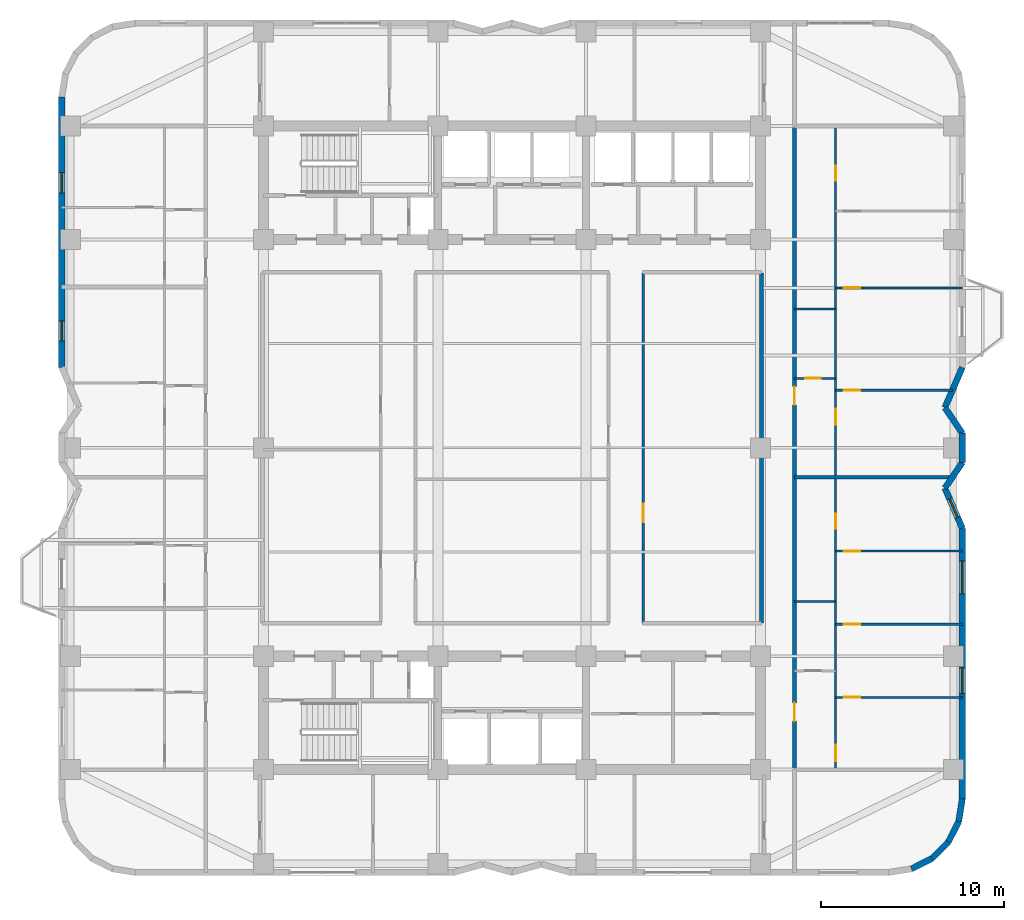
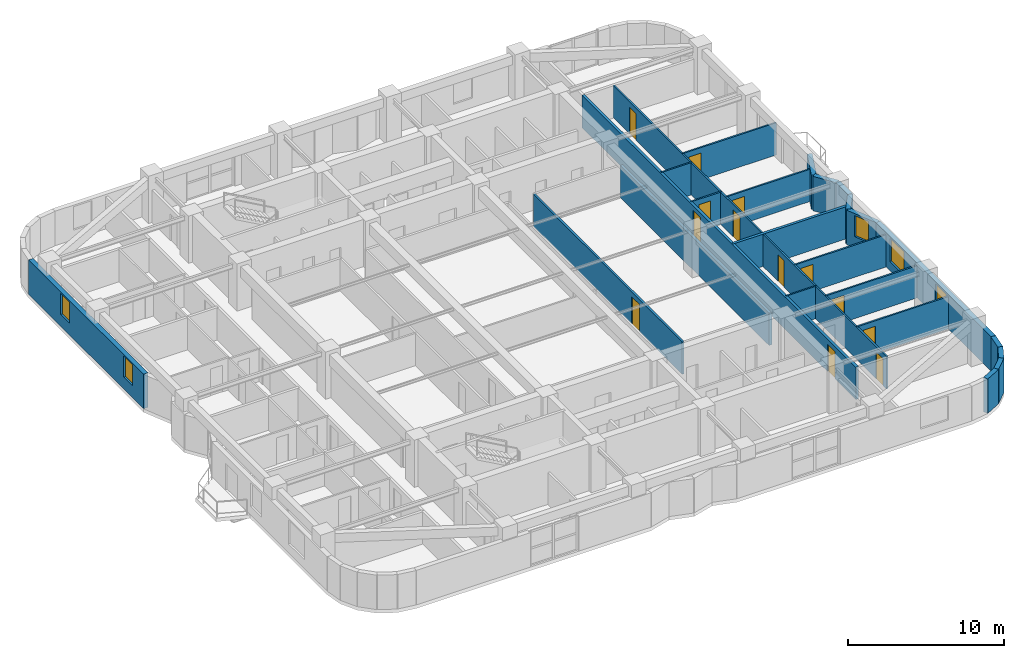
# One storey, part 10 of 15: 25 walls, 13 doors, 5 windows, 18 openings.
"""IFC4 building model written with IfcOpenShell, lengths in metres."""

from ifc_helpers import new_model, si_unit, direction, frame, frame_2d, origin, place, context, subcontext, project, spatial, rectangle, extrude, material, layer, layer_set, type_object, element, fill, save


model = new_model("IFC4")

# Units and contexts
model_context = context("Model", 3, precision=1e-05, world=origin(), true_north=direction((0.0, 1.0)))
body_context = subcontext(model_context, "Body", "Model", "MODEL_VIEW")
ifc_project = project(units=[si_unit("LENGTHUNIT", "METRE"), si_unit("AREAUNIT", "SQUARE_METRE"), si_unit("VOLUMEUNIT", "CUBIC_METRE"), si_unit("PLANEANGLEUNIT", "RADIAN"), si_unit("MASSUNIT", "GRAM", prefix="KILO")], contexts=[model_context])

# Site, building, storey
site_placement = place(None, origin())
site = spatial("IfcSite", under=ifc_project, at=site_placement, CompositionType="ELEMENT")
building_placement = place(site_placement, origin())
building = spatial("IfcBuilding", under=site, at=building_placement, Name="Svetorya Sky Lyceum", CompositionType="ELEMENT")
storey_placement = place(building_placement, frame((0.0, 0.0, 99.39990234375)))
storey = spatial("IfcBuildingStorey", under=building, at=storey_placement, Name="L24", CompositionType="ELEMENT", Elevation=99.39990234375)

# Walls
ifc_material_1 = material(Name="Putilovo limestone rainscreen on autoclaved cellular masonry", Category="masonry")
ifc_layer_1 = layer(ifc_material_1, 0.340087890625)
ifc_layer_set_1 = layer_set([ifc_layer_1], Name="Putilovo limestone rainscreen on autoclaved cellular masonry")
wall_type_1 = type_object("IfcWallType", Name="WL-EXT-340", PredefinedType="SOLIDWALL", material=ifc_layer_set_1)
for number, where, z_axis, x_axis, name in (
    (1, (61.04541015625, 5.167236328125, 0.0), (0.0, 0.0, 1.0), (0.890953769915, 0.454094020963, 0.0), "L24 Limestone Exterior Wall 13M"),
    (2, (62.168701171875, 5.73974609375, 0.0), (0.0, 0.0, 1.0), (0.707203598708, 0.707009950407, 0.0), "L24 Limestone Exterior Wall 14M"),
):
    element("IfcWall", number, at=place(storey_placement, frame(where, z_axis=z_axis, x_axis=x_axis)), inside=storey, type_object=wall_type_1, Name=name, PredefinedType="SOLIDWALL", context=body_context, shape_type="SweptSolid", body=[
        extrude(rectangle(XDim=1.2607421875, YDim=0.340087890625, at=frame_2d((0.63037109375, 0.0))), origin(), (0.0, 0.0, 1.0), 2.7001953125),
    ])
for number, where, z_axis, x_axis, name in (
    (3, (63.060302734375, 6.631103515625, 0.0), (0.0, 0.0, 1.0), (0.454015689056, 0.890993689142, 0.0), "L24 Limestone Exterior Wall 15M"),
    (4, (63.6328125, 7.754638671875, 0.0), (0.0, 0.0, 1.0), (0.15644975923, 0.987685918112, 0.0), "L24 Limestone Exterior Wall 16M"),
):
    element("IfcWall", number, at=place(storey_placement, frame(where, z_axis=z_axis, x_axis=x_axis)), inside=storey, type_object=wall_type_1, Name=name, PredefinedType="SOLIDWALL", context=body_context, shape_type="SweptSolid", body=[
        extrude(rectangle(XDim=1.260986328125, YDim=0.340087890625, at=frame_2d((0.63037109375, 0.0))), origin(), (0.0, 0.0, 1.0), 2.7001953125),
    ])

# Wall, openings, windows
wall_1_placement = place(storey_placement, frame((63.830078125, 9.0, 0.0), z_axis=(0.0, 0.0, 1.0), x_axis=(0.0, 1.0, 0.0)))
wall_1 = element("IfcWall", 5, at=wall_1_placement, inside=storey, type_object=wall_type_1, Name="L24 Limestone Exterior Wall 17M", PredefinedType="SOLIDWALL", context=body_context, shape_type="SweptSolid", body=[
    extrude(rectangle(XDim=14.800048828125, YDim=0.340087890625, at=frame_2d((7.39990234375, 0.0))), origin(), (0.0, 0.0, 1.0), 2.7001953125),
])
opening_1_placement = place(wall_1_placement, frame((5.760009765625, 0.0, 0.68994140625)))
opening_1 = element("IfcOpeningElement", 6, at=opening_1_placement, cuts=wall_1, Name="Opening W-R2", PredefinedType="OPENING", context=body_context, shape_type="SweptSolid", body=[
    extrude(rectangle(XDim=1.39990234375, YDim=1.85009765625, at=frame_2d((0.699951171875, 0.925048828125))), frame((0.0, 0.179931640625, 0.0), z_axis=(0.0, -1.0, 0.0), x_axis=(1.0, 0.0, 0.0)), (0.0, 0.0, 1.0), 0.360107421875),
])
opening_2_placement = place(wall_1_placement, frame((11.21240234375, 0.0, 0.72998046875)))
opening_2 = element("IfcOpeningElement", 7, at=opening_2_placement, cuts=wall_1, Name="Opening W-R1", PredefinedType="OPENING", context=body_context, shape_type="SweptSolid", body=[
    extrude(rectangle(XDim=1.800048828125, YDim=1.85009765625, at=frame_2d((0.89990234375, 0.925048828125))), frame((0.0, 0.179931640625, 0.0), z_axis=(0.0, -1.0, 0.0), x_axis=(1.0, 0.0, 0.0)), (0.0, 0.0, 1.0), 0.360107421875),
])
ifc_material_2 = material(Name="Thermally broken aluminium frame with triple low-E glazing", Category="aluminium")
window_type_1 = type_object("IfcWindowType", Name="WN-RES-140", PartitioningType="SINGLE_PANEL", PredefinedType="WINDOW", material=ifc_material_2)
window_1_placement = place(opening_1_placement, origin())
window_1 = element("IfcWindow", 8, at=window_1_placement, inside=storey, type_object=window_type_1, Name="L24 Facade Window W-R2.17M.2", OverallHeight=1.85009765625, OverallWidth=1.39990234375, PartitioningType="SINGLE_PANEL", PredefinedType="WINDOW", context=body_context, shape_type="SweptSolid", body=[
    extrude(rectangle(XDim=1.39990234375, YDim=1.85009765625, at=frame_2d((0.699951171875, 0.925048828125))), frame((0.0, 0.030029296875, 0.0), z_axis=(0.0, -1.0, 0.0), x_axis=(1.0, 0.0, 0.0)), (0.0, 0.0, 1.0), 0.06005859375),
])
fill(opening_1, window_1)
window_type_2 = type_object("IfcWindowType", Name="WN-RES-180", PartitioningType="DOUBLE_PANEL_VERTICAL", PredefinedType="WINDOW", material=ifc_material_2)
window_2_placement = place(opening_2_placement, origin())
window_2 = element("IfcWindow", 9, at=window_2_placement, inside=storey, type_object=window_type_2, Name="L24 Facade Window W-R1.17M.1", OverallHeight=1.85009765625, OverallWidth=1.800048828125, PartitioningType="SINGLE_PANEL", PredefinedType="WINDOW", context=body_context, shape_type="SweptSolid", body=[
    extrude(rectangle(XDim=1.800048828125, YDim=1.85009765625, at=frame_2d((0.89990234375, 0.925048828125))), frame((0.0, 0.030029296875, 0.0), z_axis=(0.0, -1.0, 0.0), x_axis=(1.0, 0.0, 0.0)), (0.0, 0.0, 1.0), 0.06005859375),
])
fill(opening_2, window_2)

# Wall, opening, window
wall_2_placement = place(storey_placement, frame((63.830078125, 23.800048828125, 0.0), z_axis=(0.0, 0.0, 1.0), x_axis=(-0.396512124623, 0.918029484835, 0.0)))
wall_2 = element("IfcWall", 10, at=wall_2_placement, inside=storey, type_object=wall_type_1, Name="L24 Limestone Exterior Wall 18M", PredefinedType="SOLIDWALL", context=body_context, shape_type="SweptSolid", body=[
    extrude(rectangle(XDim=2.396484375, YDim=0.340087890625, at=frame_2d((1.1982421875, 0.0))), origin(), (0.0, 0.0, 1.0), 2.7001953125),
])
opening_3_placement = place(wall_2_placement, frame((0.648193359375, 0.0, 0.889892578125)))
opening_3 = element("IfcOpeningElement", 11, at=opening_3_placement, cuts=wall_2, Name="Opening W-R3", PredefinedType="OPENING", context=body_context, shape_type="SweptSolid", body=[
    extrude(rectangle(XDim=1.10009765625, YDim=1.64990234375, at=frame_2d((0.550048828125, 0.824951171875))), frame((0.0, 0.179931640625, 0.0), z_axis=(0.0, -1.0, 0.0), x_axis=(1.0, 0.0, 0.0)), (0.0, 0.0, 1.0), 0.360107421875),
])
window_type_3 = type_object("IfcWindowType", Name="WN-RES-110", PartitioningType="SINGLE_PANEL", PredefinedType="WINDOW", material=ifc_material_2)
window_3_placement = place(opening_3_placement, origin())
window_3 = element("IfcWindow", 12, at=window_3_placement, inside=storey, type_object=window_type_3, Name="L24 Facade Window W-R3.18M.1", OverallHeight=1.64990234375, OverallWidth=1.10009765625, PartitioningType="SINGLE_PANEL", PredefinedType="WINDOW", context=body_context, shape_type="SweptSolid", body=[
    extrude(rectangle(XDim=1.10009765625, YDim=1.64990234375, at=frame_2d((0.550048828125, 0.824951171875))), frame((0.0, 0.030029296875, 0.0), z_axis=(0.0, -1.0, 0.0), x_axis=(1.0, 0.0, 0.0)), (0.0, 0.0, 1.0), 0.06005859375),
])
fill(opening_3, window_3)

# Walls
wall_3_placement = place(storey_placement, frame((62.8798828125, 26.0, 0.0), z_axis=(0.0, 0.0, 1.0), x_axis=(0.561607274182, 0.827403933751, 0.0)))
element("IfcWall", 13, at=wall_3_placement, inside=storey, type_object=wall_type_1, Name="L24 Limestone Exterior Wall 19M", PredefinedType="SOLIDWALL", context=body_context, shape_type="SweptSolid", body=[
    extrude(rectangle(XDim=1.69189453125, YDim=0.340087890625, at=frame_2d((0.845947265625, 0.0))), origin(), (0.0, 0.0, 1.0), 2.7001953125),
])
wall_4_placement = place(storey_placement, frame((63.830078125, 27.39990234375, 0.0), z_axis=(0.0, 0.0, 1.0), x_axis=(0.0, 1.0, 0.0)))
element("IfcWall", 14, at=wall_4_placement, inside=storey, type_object=wall_type_1, Name="L24 Limestone Exterior Wall 20M", PredefinedType="SOLIDWALL", context=body_context, shape_type="SweptSolid", body=[
    extrude(rectangle(XDim=1.60009765625, YDim=0.340087890625, at=frame_2d((0.800048828125, 0.0))), origin(), (0.0, 0.0, 1.0), 2.7001953125),
])
wall_5_placement = place(storey_placement, frame((63.830078125, 29.0, 0.0), z_axis=(0.0, 0.0, 1.0), x_axis=(-0.561607274182, 0.827403933751, 0.0)))
element("IfcWall", 15, at=wall_5_placement, inside=storey, type_object=wall_type_1, Name="L24 Limestone Exterior Wall 21M", PredefinedType="SOLIDWALL", context=body_context, shape_type="SweptSolid", body=[
    extrude(rectangle(XDim=1.69189453125, YDim=0.340087890625, at=frame_2d((0.845947265625, 0.0))), origin(), (0.0, 0.0, 1.0), 2.7001953125),
])
wall_6_placement = place(storey_placement, frame((62.8798828125, 30.39990234375, 0.0), z_axis=(0.0, 0.0, 1.0), x_axis=(0.396475042899, 0.918045500157, 0.0)))
element("IfcWall", 16, at=wall_6_placement, inside=storey, type_object=wall_type_1, Name="L24 Limestone Exterior Wall 22M", PredefinedType="SOLIDWALL", context=body_context, shape_type="SweptSolid", body=[
    extrude(rectangle(XDim=2.396728515625, YDim=0.340087890625, at=frame_2d((1.1982421875, 0.0))), origin(), (0.0, 0.0, 1.0), 2.7001953125),
])

# Wall, openings, windows
wall_7_placement = place(storey_placement, frame((14.570068359375, 47.39990234375, 0.0), z_axis=(0.0, 0.0, 1.0), x_axis=(0.0, -1.0, 0.0)))
wall_7 = element("IfcWall", 17, at=wall_7_placement, inside=storey, type_object=wall_type_1, Name="L24 Limestone Exterior Wall 40M", PredefinedType="SOLIDWALL", context=body_context, shape_type="SweptSolid", body=[
    extrude(rectangle(XDim=14.7998046875, YDim=0.340087890625, at=frame_2d((7.39990234375, 0.0))), origin(), (0.0, 0.0, 1.0), 2.7001953125),
])
opening_4_placement = place(wall_7_placement, frame((4.14990234375, 0.0, 0.929931640625)))
opening_4 = element("IfcOpeningElement", 18, at=opening_4_placement, cuts=wall_7, Name="Opening W-R3", PredefinedType="OPENING", context=body_context, shape_type="SweptSolid", body=[
    extrude(rectangle(XDim=1.10009765625, YDim=1.64990234375, at=frame_2d((0.550048828125, 0.824951171875))), frame((0.0, 0.179931640625, 0.0), z_axis=(0.0, -1.0, 0.0), x_axis=(1.0, 0.0, 0.0)), (0.0, 0.0, 1.0), 0.360107421875),
])
opening_5_placement = place(wall_7_placement, frame((12.25, 0.0, 0.929931640625)))
opening_5 = element("IfcOpeningElement", 19, at=opening_5_placement, cuts=wall_7, Name="Opening W-R3", PredefinedType="OPENING", context=body_context, shape_type="SweptSolid", body=[
    extrude(rectangle(XDim=1.10009765625, YDim=1.64990234375, at=frame_2d((0.550048828125, 0.824951171875))), frame((0.0, 0.179931640625, 0.0), z_axis=(0.0, -1.0, 0.0), x_axis=(1.0, 0.0, 0.0)), (0.0, 0.0, 1.0), 0.360107421875),
])
window_4_placement = place(opening_4_placement, origin())
window_4 = element("IfcWindow", 20, at=window_4_placement, inside=storey, type_object=window_type_3, Name="L24 Facade Window W-R3.40M.1", OverallHeight=1.64990234375, OverallWidth=1.10009765625, PartitioningType="SINGLE_PANEL", PredefinedType="WINDOW", context=body_context, shape_type="SweptSolid", body=[
    extrude(rectangle(XDim=1.10009765625, YDim=1.64990234375, at=frame_2d((0.550048828125, 0.824951171875))), frame((0.0, 0.030029296875, 0.0), z_axis=(0.0, -1.0, 0.0), x_axis=(1.0, 0.0, 0.0)), (0.0, 0.0, 1.0), 0.06005859375),
])
fill(opening_4, window_4)
window_5_placement = place(opening_5_placement, origin())
window_5 = element("IfcWindow", 21, at=window_5_placement, inside=storey, type_object=window_type_3, Name="L24 Facade Window W-R3.40M.2", OverallHeight=1.64990234375, OverallWidth=1.10009765625, PartitioningType="SINGLE_PANEL", PredefinedType="WINDOW", context=body_context, shape_type="SweptSolid", body=[
    extrude(rectangle(XDim=1.10009765625, YDim=1.64990234375, at=frame_2d((0.550048828125, 0.824951171875))), frame((0.0, 0.030029296875, 0.0), z_axis=(0.0, -1.0, 0.0), x_axis=(1.0, 0.0, 0.0)), (0.0, 0.0, 1.0), 0.06005859375),
])
fill(opening_5, window_5)

# Wall
ifc_material_3 = material(Name="Twin-stud galvanized framing with double fireboard", Category="gypsum")
ifc_layer_2 = layer(ifc_material_3, 0.1201171875)
ifc_layer_set_2 = layer_set([ifc_layer_2], Name="Twin-stud galvanized framing with double fireboard")
wall_type_2 = type_object("IfcWallType", Name="WL-PART-120", PredefinedType="PARTITIONING", material=ifc_layer_set_2)
wall_8_placement = place(storey_placement, frame((54.64990234375, 19.800048828125, 0.0), z_axis=(0.0, 0.0, 1.0), x_axis=(1.0, 0.0, 0.0)))
element("IfcWall", 22, at=wall_8_placement, inside=storey, type_object=wall_type_2, Name="L24 Interior Partition E1-WH2", PredefinedType="PARTITIONING", context=body_context, shape_type="SweptSolid", body=[
    extrude(rectangle(XDim=2.25, YDim=0.1201171875, at=frame_2d((1.125, 0.0))), origin(), (0.0, 0.0, 1.0), 2.530029296875),
])

# Wall, opening, door
wall_9_placement = place(storey_placement, frame((56.89990234375, 14.550048828125, 0.0), z_axis=(0.0, 0.0, 1.0), x_axis=(1.0, 0.0, 0.0)))
wall_9 = element("IfcWall", 23, at=wall_9_placement, inside=storey, type_object=wall_type_2, Name="L24 Interior Partition E1-WL1", PredefinedType="PARTITIONING", context=body_context, shape_type="SweptSolid", body=[
    extrude(rectangle(XDim=6.93017578125, YDim=0.1201171875, at=frame_2d((3.465087890625, 0.0))), origin(), (0.0, 0.0, 1.0), 2.530029296875),
])
opening_6_placement = place(wall_9_placement, frame((0.449951171875, 0.0, 0.0)))
opening_6 = element("IfcOpeningElement", 24, at=opening_6_placement, cuts=wall_9, Name="Opening D-RM1", PredefinedType="OPENING", context=body_context, shape_type="SweptSolid", body=[
    extrude(rectangle(XDim=0.89990234375, YDim=2.10009765625, at=frame_2d((0.449951171875, 1.050048828125))), frame((0.0, 0.070068359375, 0.0), z_axis=(0.0, -1.0, 0.0), x_axis=(1.0, 0.0, 0.0)), (0.0, 0.0, 1.0), 0.14013671875),
])
ifc_material_4 = material(Name="Lacquered birch veneer internal door")
door_type_1 = type_object("IfcDoorType", Name="DR-INT-900", OperationType="SINGLE_SWING_LEFT", PredefinedType="DOOR", material=ifc_material_4)
door_1_placement = place(opening_6_placement, origin())
door_1 = element("IfcDoor", 25, at=door_1_placement, inside=storey, type_object=door_type_1, Name="Apartment E1 Master Bedroom Door", OperationType="SINGLE_SWING_RIGHT", OverallHeight=2.10009765625, OverallWidth=0.89990234375, PredefinedType="DOOR", context=body_context, shape_type="SweptSolid", body=[
    extrude(rectangle(XDim=0.89990234375, YDim=2.10009765625, at=frame_2d((0.449951171875, 1.050048828125))), frame((0.0, 0.02490234375, 0.0), z_axis=(0.0, -1.0, 0.0), x_axis=(1.0, 0.0, 0.0)), (0.0, 0.0, 1.0), 0.050048828125),
])
fill(opening_6, door_1)

wall_10_placement = place(storey_placement, frame((56.89990234375, 18.550048828125, 0.0), z_axis=(0.0, 0.0, 1.0), x_axis=(1.0, 0.0, 0.0)))
wall_10 = element("IfcWall", 26, at=wall_10_placement, inside=storey, type_object=wall_type_2, Name="L24 Interior Partition E1-WL2", PredefinedType="PARTITIONING", context=body_context, shape_type="SweptSolid", body=[
    extrude(rectangle(XDim=6.93017578125, YDim=0.1201171875, at=frame_2d((3.465087890625, 0.0))), origin(), (0.0, 0.0, 1.0), 2.530029296875),
])
opening_7_placement = place(wall_10_placement, frame((0.449951171875, 0.0, 0.0)))
opening_7 = element("IfcOpeningElement", 27, at=opening_7_placement, cuts=wall_10, Name="Opening D-RM1", PredefinedType="OPENING", context=body_context, shape_type="SweptSolid", body=[
    extrude(rectangle(XDim=0.89990234375, YDim=2.10009765625, at=frame_2d((0.449951171875, 1.050048828125))), frame((0.0, 0.070068359375, 0.0), z_axis=(0.0, -1.0, 0.0), x_axis=(1.0, 0.0, 0.0)), (0.0, 0.0, 1.0), 0.14013671875),
])
door_2_placement = place(opening_7_placement, origin())
door_2 = element("IfcDoor", 28, at=door_2_placement, inside=storey, type_object=door_type_1, Name="Apartment E1 Bedroom 2 Door", OperationType="SINGLE_SWING_LEFT", OverallHeight=2.10009765625, OverallWidth=0.89990234375, PredefinedType="DOOR", context=body_context, shape_type="SweptSolid", body=[
    extrude(rectangle(XDim=0.89990234375, YDim=2.10009765625, at=frame_2d((0.449951171875, 1.050048828125))), frame((0.0, 0.02490234375, 0.0), z_axis=(0.0, -1.0, 0.0), x_axis=(1.0, 0.0, 0.0)), (0.0, 0.0, 1.0), 0.050048828125),
])
fill(opening_7, door_2)

wall_11_placement = place(storey_placement, frame((56.89990234375, 22.550048828125, 0.0), z_axis=(0.0, 0.0, 1.0), x_axis=(1.0, 0.0, 0.0)))
wall_11 = element("IfcWall", 29, at=wall_11_placement, inside=storey, type_object=wall_type_2, Name="L24 Interior Partition E1-WL3", PredefinedType="PARTITIONING", context=body_context, shape_type="SweptSolid", body=[
    extrude(rectangle(XDim=6.93017578125, YDim=0.1201171875, at=frame_2d((3.465087890625, 0.0))), origin(), (0.0, 0.0, 1.0), 2.530029296875),
])
opening_8_placement = place(wall_11_placement, frame((0.449951171875, 0.0, 0.0)))
opening_8 = element("IfcOpeningElement", 30, at=opening_8_placement, cuts=wall_11, Name="Opening D-RM1", PredefinedType="OPENING", context=body_context, shape_type="SweptSolid", body=[
    extrude(rectangle(XDim=0.89990234375, YDim=2.10009765625, at=frame_2d((0.449951171875, 1.050048828125))), frame((0.0, 0.070068359375, 0.0), z_axis=(0.0, -1.0, 0.0), x_axis=(1.0, 0.0, 0.0)), (0.0, 0.0, 1.0), 0.14013671875),
])
door_3_placement = place(opening_8_placement, origin())
door_3 = element("IfcDoor", 31, at=door_3_placement, inside=storey, type_object=door_type_1, Name="Apartment E1 Bedroom 3 Door", OperationType="SINGLE_SWING_RIGHT", OverallHeight=2.10009765625, OverallWidth=0.89990234375, PredefinedType="DOOR", context=body_context, shape_type="SweptSolid", body=[
    extrude(rectangle(XDim=0.89990234375, YDim=2.10009765625, at=frame_2d((0.449951171875, 1.050048828125))), frame((0.0, 0.02490234375, 0.0), z_axis=(0.0, -1.0, 0.0), x_axis=(1.0, 0.0, 0.0)), (0.0, 0.0, 1.0), 0.050048828125),
])
fill(opening_8, door_3)

# Wall, openings, doors
wall_12_placement = place(storey_placement, frame((56.89990234375, 10.639892578125, 0.0), z_axis=(0.0, 0.0, 1.0), x_axis=(0.0, 1.0, 0.0)))
wall_12 = element("IfcWall", 32, at=wall_12_placement, inside=storey, type_object=wall_type_2, Name="L24 Interior Partition E1-WV", PredefinedType="PARTITIONING", context=body_context, shape_type="SweptSolid", body=[
    extrude(rectangle(XDim=15.920166015625, YDim=0.1201171875, at=frame_2d((7.9599609375, 0.0))), origin(), (0.0, 0.0, 1.0), 2.530029296875),
])
opening_9_placement = place(wall_12_placement, frame((0.409912109375, 0.0, 0.0)))
opening_9 = element("IfcOpeningElement", 33, at=opening_9_placement, cuts=wall_12, Name="Opening D-RM1", PredefinedType="OPENING", context=body_context, shape_type="SweptSolid", body=[
    extrude(rectangle(XDim=0.89990234375, YDim=2.10009765625, at=frame_2d((0.449951171875, 1.050048828125))), frame((0.0, 0.070068359375, 0.0), z_axis=(0.0, -1.0, 0.0), x_axis=(1.0, 0.0, 0.0)), (0.0, 0.0, 1.0), 0.14013671875),
])
opening_10_placement = place(wall_12_placement, frame((13.125, 0.0, 0.0)))
opening_10 = element("IfcOpeningElement", 34, at=opening_10_placement, cuts=wall_12, Name="Opening D-BT2", PredefinedType="OPENING", context=body_context, shape_type="SweptSolid", body=[
    extrude(rectangle(XDim=0.820068359375, YDim=2.080078125, at=frame_2d((0.41015625, 1.0400390625))), frame((0.0, 0.070068359375, 0.0), z_axis=(0.0, -1.0, 0.0), x_axis=(1.0, 0.0, 0.0)), (0.0, 0.0, 1.0), 0.14013671875),
])
door_4_placement = place(opening_9_placement, origin())
door_4 = element("IfcDoor", 35, at=door_4_placement, inside=storey, type_object=door_type_1, Name="Apartment E1 Living Door", OperationType="SINGLE_SWING_LEFT", OverallHeight=2.10009765625, OverallWidth=0.89990234375, PredefinedType="DOOR", context=body_context, shape_type="SweptSolid", body=[
    extrude(rectangle(XDim=0.89990234375, YDim=2.10009765625, at=frame_2d((0.449951171875, 1.050048828125))), frame((0.0, 0.02490234375, 0.0), z_axis=(0.0, -1.0, 0.0), x_axis=(1.0, 0.0, 0.0)), (0.0, 0.0, 1.0), 0.050048828125),
])
fill(opening_9, door_4)
ifc_material_5 = material(Name="Compact moisture-resistant laminate closet door")
door_type_2 = type_object("IfcDoorType", Name="DR-WET-820", OperationType="SINGLE_SWING_LEFT", PredefinedType="DOOR", material=ifc_material_5)
door_5_placement = place(opening_10_placement, origin())
door_5 = element("IfcDoor", 36, at=door_5_placement, inside=storey, type_object=door_type_2, Name="Apartment E1 Study Door", OperationType="SINGLE_SWING_RIGHT", OverallHeight=2.080078125, OverallWidth=0.820068359375, PredefinedType="DOOR", context=body_context, shape_type="SweptSolid", body=[
    extrude(rectangle(XDim=0.820068359375, YDim=2.080078125, at=frame_2d((0.41015625, 1.0400390625))), frame((0.0, 0.02490234375, 0.0), z_axis=(0.0, -1.0, 0.0), x_axis=(1.0, 0.0, 0.0)), (0.0, 0.0, 1.0), 0.050048828125),
])
fill(opening_10, door_5)

# Wall, opening, door
wall_13_placement = place(storey_placement, frame((54.64990234375, 32.0, 0.0), z_axis=(0.0, 0.0, 1.0), x_axis=(1.0, 0.0, 0.0)))
wall_13 = element("IfcWall", 37, at=wall_13_placement, inside=storey, type_object=wall_type_2, Name="L24 Interior Partition E2-WH1", PredefinedType="PARTITIONING", context=body_context, shape_type="SweptSolid", body=[
    extrude(rectangle(XDim=2.25, YDim=0.1201171875, at=frame_2d((1.125, 0.0))), origin(), (0.0, 0.0, 1.0), 2.530029296875),
])
opening_11_placement = place(wall_13_placement, frame((0.60009765625, 0.0, 0.0)))
opening_11 = element("IfcOpeningElement", 38, at=opening_11_placement, cuts=wall_13, Name="Opening D-BT1", PredefinedType="OPENING", context=body_context, shape_type="SweptSolid", body=[
    extrude(rectangle(XDim=0.85009765625, YDim=2.10009765625, at=frame_2d((0.425048828125, 1.050048828125))), frame((0.0, 0.070068359375, 0.0), z_axis=(0.0, -1.0, 0.0), x_axis=(1.0, 0.0, 0.0)), (0.0, 0.0, 1.0), 0.14013671875),
])
ifc_material_6 = material(Name="Moisture-resistant laminate bathroom door")
door_type_3 = type_object("IfcDoorType", Name="DR-WET-850", OperationType="SINGLE_SWING_LEFT", PredefinedType="DOOR", material=ifc_material_6)
door_6_placement = place(opening_11_placement, origin())
door_6 = element("IfcDoor", 39, at=door_6_placement, inside=storey, type_object=door_type_3, Name="Apartment E2 Bathroom Door", OperationType="SINGLE_SWING_LEFT", OverallHeight=2.10009765625, OverallWidth=0.85009765625, PredefinedType="DOOR", context=body_context, shape_type="SweptSolid", body=[
    extrude(rectangle(XDim=0.85009765625, YDim=2.10009765625, at=frame_2d((0.425048828125, 1.050048828125))), frame((0.0, 0.02490234375, 0.0), z_axis=(0.0, -1.0, 0.0), x_axis=(1.0, 0.0, 0.0)), (0.0, 0.0, 1.0), 0.050048828125),
])
fill(opening_11, door_6)

# Wall
wall_14_placement = place(storey_placement, frame((54.64990234375, 35.800048828125, 0.0), z_axis=(0.0, 0.0, 1.0), x_axis=(1.0, 0.0, 0.0)))
element("IfcWall", 40, at=wall_14_placement, inside=storey, type_object=wall_type_2, Name="L24 Interior Partition E2-WH2", PredefinedType="PARTITIONING", context=body_context, shape_type="SweptSolid", body=[
    extrude(rectangle(XDim=2.25, YDim=0.1201171875, at=frame_2d((1.125, 0.0))), origin(), (0.0, 0.0, 1.0), 2.530029296875),
])

# Wall, opening, door
wall_15_placement = place(storey_placement, frame((56.89990234375, 31.35009765625, 0.0), z_axis=(0.0, 0.0, 1.0), x_axis=(1.0, 0.0, 0.0)))
wall_15 = element("IfcWall", 41, at=wall_15_placement, inside=storey, type_object=wall_type_2, Name="L24 Interior Partition E2-WL1", PredefinedType="PARTITIONING", context=body_context, shape_type="SweptSolid", body=[
    extrude(rectangle(XDim=6.390380859375, YDim=0.1201171875, at=frame_2d((3.1953125, 0.0))), origin(), (0.0, 0.0, 1.0), 2.530029296875),
])
opening_12_placement = place(wall_15_placement, frame((0.449951171875, 0.0, 0.0)))
opening_12 = element("IfcOpeningElement", 42, at=opening_12_placement, cuts=wall_15, Name="Opening D-RM1", PredefinedType="OPENING", context=body_context, shape_type="SweptSolid", body=[
    extrude(rectangle(XDim=0.89990234375, YDim=2.10009765625, at=frame_2d((0.449951171875, 1.050048828125))), frame((0.0, 0.070068359375, 0.0), z_axis=(0.0, -1.0, 0.0), x_axis=(1.0, 0.0, 0.0)), (0.0, 0.0, 1.0), 0.14013671875),
])
door_7_placement = place(opening_12_placement, origin())
door_7 = element("IfcDoor", 43, at=door_7_placement, inside=storey, type_object=door_type_1, Name="Apartment E2 Master Bedroom Door", OperationType="SINGLE_SWING_LEFT", OverallHeight=2.10009765625, OverallWidth=0.89990234375, PredefinedType="DOOR", context=body_context, shape_type="SweptSolid", body=[
    extrude(rectangle(XDim=0.89990234375, YDim=2.10009765625, at=frame_2d((0.449951171875, 1.050048828125))), frame((0.0, 0.02490234375, 0.0), z_axis=(0.0, -1.0, 0.0), x_axis=(1.0, 0.0, 0.0)), (0.0, 0.0, 1.0), 0.050048828125),
])
fill(opening_12, door_7)

wall_16_placement = place(storey_placement, frame((56.89990234375, 36.949951171875, 0.0), z_axis=(0.0, 0.0, 1.0), x_axis=(1.0, 0.0, 0.0)))
wall_16 = element("IfcWall", 44, at=wall_16_placement, inside=storey, type_object=wall_type_2, Name="L24 Interior Partition E2-WL2", PredefinedType="PARTITIONING", context=body_context, shape_type="SweptSolid", body=[
    extrude(rectangle(XDim=6.93017578125, YDim=0.1201171875, at=frame_2d((3.465087890625, 0.0))), origin(), (0.0, 0.0, 1.0), 2.530029296875),
])
opening_13_placement = place(wall_16_placement, frame((0.449951171875, 0.0, 0.0)))
opening_13 = element("IfcOpeningElement", 45, at=opening_13_placement, cuts=wall_16, Name="Opening D-RM1", PredefinedType="OPENING", context=body_context, shape_type="SweptSolid", body=[
    extrude(rectangle(XDim=0.89990234375, YDim=2.10009765625, at=frame_2d((0.449951171875, 1.050048828125))), frame((0.0, 0.070068359375, 0.0), z_axis=(0.0, -1.0, 0.0), x_axis=(1.0, 0.0, 0.0)), (0.0, 0.0, 1.0), 0.14013671875),
])
door_8_placement = place(opening_13_placement, origin())
door_8 = element("IfcDoor", 46, at=door_8_placement, inside=storey, type_object=door_type_1, Name="Apartment E2 Bedroom 2 Door", OperationType="SINGLE_SWING_RIGHT", OverallHeight=2.10009765625, OverallWidth=0.89990234375, PredefinedType="DOOR", context=body_context, shape_type="SweptSolid", body=[
    extrude(rectangle(XDim=0.89990234375, YDim=2.10009765625, at=frame_2d((0.449951171875, 1.050048828125))), frame((0.0, 0.02490234375, 0.0), z_axis=(0.0, -1.0, 0.0), x_axis=(1.0, 0.0, 0.0)), (0.0, 0.0, 1.0), 0.050048828125),
])
fill(opening_13, door_8)

# Wall, openings, doors
wall_17_placement = place(storey_placement, frame((56.89990234375, 26.639892578125, 0.0), z_axis=(0.0, 0.0, 1.0), x_axis=(0.0, 1.0, 0.0)))
wall_17 = element("IfcWall", 47, at=wall_17_placement, inside=storey, type_object=wall_type_2, Name="L24 Interior Partition E2-WV", PredefinedType="PARTITIONING", context=body_context, shape_type="SweptSolid", body=[
    extrude(rectangle(XDim=19.1201171875, YDim=0.1201171875, at=frame_2d((9.56005859375, 0.0))), origin(), (0.0, 0.0, 1.0), 2.530029296875),
])
opening_14_placement = place(wall_17_placement, frame((2.81005859375, 0.0, 0.0)))
opening_14 = element("IfcOpeningElement", 48, at=opening_14_placement, cuts=wall_17, Name="Opening D-RM1", PredefinedType="OPENING", context=body_context, shape_type="SweptSolid", body=[
    extrude(rectangle(XDim=0.89990234375, YDim=2.10009765625, at=frame_2d((0.449951171875, 1.050048828125))), frame((0.0, 0.070068359375, 0.0), z_axis=(0.0, -1.0, 0.0), x_axis=(1.0, 0.0, 0.0)), (0.0, 0.0, 1.0), 0.14013671875),
])
opening_15_placement = place(wall_17_placement, frame((16.179931640625, 0.0, 0.0)))
opening_15 = element("IfcOpeningElement", 49, at=opening_15_placement, cuts=wall_17, Name="Opening D-BT2", PredefinedType="OPENING", context=body_context, shape_type="SweptSolid", body=[
    extrude(rectangle(XDim=0.820068359375, YDim=2.080078125, at=frame_2d((0.41015625, 1.0400390625))), frame((0.0, 0.070068359375, 0.0), z_axis=(0.0, -1.0, 0.0), x_axis=(1.0, 0.0, 0.0)), (0.0, 0.0, 1.0), 0.14013671875),
])
door_9_placement = place(opening_14_placement, origin())
door_9 = element("IfcDoor", 50, at=door_9_placement, inside=storey, type_object=door_type_1, Name="Apartment E2 Living Door", OperationType="SINGLE_SWING_RIGHT", OverallHeight=2.10009765625, OverallWidth=0.89990234375, PredefinedType="DOOR", context=body_context, shape_type="SweptSolid", body=[
    extrude(rectangle(XDim=0.89990234375, YDim=2.10009765625, at=frame_2d((0.449951171875, 1.050048828125))), frame((0.0, 0.02490234375, 0.0), z_axis=(0.0, -1.0, 0.0), x_axis=(1.0, 0.0, 0.0)), (0.0, 0.0, 1.0), 0.050048828125),
])
fill(opening_14, door_9)
door_10_placement = place(opening_15_placement, origin())
door_10 = element("IfcDoor", 51, at=door_10_placement, inside=storey, type_object=door_type_2, Name="Apartment E2 Study Door", OperationType="SINGLE_SWING_LEFT", OverallHeight=2.080078125, OverallWidth=0.820068359375, PredefinedType="DOOR", context=body_context, shape_type="SweptSolid", body=[
    extrude(rectangle(XDim=0.820068359375, YDim=2.080078125, at=frame_2d((0.41015625, 1.0400390625))), frame((0.0, 0.02490234375, 0.0), z_axis=(0.0, -1.0, 0.0), x_axis=(1.0, 0.0, 0.0)), (0.0, 0.0, 1.0), 0.050048828125),
])
fill(opening_15, door_10)

# Wall, opening, door
ifc_material_7 = material(Name="Autoclaved cellular masonry blockwork with acoustic render", Category="masonry")
ifc_layer_3 = layer(ifc_material_7, 0.14990234375)
ifc_layer_set_3 = layer_set([ifc_layer_3], Name="Autoclaved cellular masonry blockwork with acoustic render")
wall_type_3 = type_object("IfcWallType", Name="WL-PART-150", PredefinedType="PARTITIONING", material=ifc_layer_set_3)
wall_18_placement = place(storey_placement, frame((46.3798828125, 18.6298828125, 0.0), z_axis=(0.0, 0.0, 1.0), x_axis=(0.0, 1.0, 0.0)))
wall_18 = element("IfcWall", 52, at=wall_18_placement, inside=storey, type_object=wall_type_3, Name="L24 Interior Partition ISL-EE", PredefinedType="PARTITIONING", context=body_context, shape_type="SweptSolid", body=[
    extrude(rectangle(XDim=19.14013671875, YDim=0.14990234375, at=frame_2d((9.570068359375, 0.0))), origin(), (0.0, 0.0, 1.0), 2.530029296875),
])
opening_16_placement = place(wall_18_placement, frame((5.5, 0.0, 0.0)))
opening_16 = element("IfcOpeningElement", 53, at=opening_16_placement, cuts=wall_18, Name="Opening D-RM2", PredefinedType="OPENING", context=body_context, shape_type="SweptSolid", body=[
    extrude(rectangle(XDim=1.0, YDim=2.14990234375, at=frame_2d((0.5, 1.074951171875))), frame((0.0, 0.0849609375, 0.0), z_axis=(0.0, -1.0, 0.0), x_axis=(1.0, 0.0, 0.0)), (0.0, 0.0, 1.0), 0.169921875),
])
ifc_material_8 = material(Name="Solid-core oak acoustic room door")
door_type_4 = type_object("IfcDoorType", Name="DR-INT-1000", OperationType="SINGLE_SWING_LEFT", PredefinedType="DOOR", material=ifc_material_8)
door_11_placement = place(opening_16_placement, origin())
door_11 = element("IfcDoor", 54, at=door_11_placement, inside=storey, type_object=door_type_4, Name="L24 East Seminar Door", OperationType="SINGLE_SWING_LEFT", OverallHeight=2.14990234375, OverallWidth=1.0, PredefinedType="DOOR", context=body_context, shape_type="SweptSolid", body=[
    extrude(rectangle(XDim=1.0, YDim=2.14990234375, at=frame_2d((0.5, 1.074951171875))), frame((0.0, 0.02490234375, 0.0), z_axis=(0.0, -1.0, 0.0), x_axis=(1.0, 0.0, 0.0)), (0.0, 0.0, 1.0), 0.050048828125),
])
fill(opening_16, door_11)

# Walls
ifc_material_9 = material(Name="Autoclaved cellular masonry blockwork with gypsum plaster", Category="masonry")
ifc_layer_4 = layer(ifc_material_9, 0.199951171875)
ifc_layer_set_4 = layer_set([ifc_layer_4], Name="Autoclaved cellular masonry blockwork with gypsum plaster")
wall_type_4 = type_object("IfcWallType", Name="WL-PART-200", PredefinedType="PARTITIONING", material=ifc_layer_set_4)
wall_19_placement = place(storey_placement, frame((52.85009765625, 18.6298828125, 0.0), z_axis=(0.0, 0.0, 1.0), x_axis=(0.0, 1.0, 0.0)))
element("IfcWall", 55, at=wall_19_placement, inside=storey, type_object=wall_type_4, Name="L24 Interior Partition E-CEN-SEP", PredefinedType="PARTITIONING", context=body_context, shape_type="SweptSolid", body=[
    extrude(rectangle(XDim=19.14013671875, YDim=0.199951171875, at=frame_2d((9.570068359375, 0.0))), origin(), (0.0, 0.0, 1.0), 2.530029296875),
])
wall_20_placement = place(storey_placement, frame((54.64990234375, 26.60009765625, 0.0), z_axis=(0.0, 0.0, 1.0), x_axis=(1.0, 0.0, 0.0)))
element("IfcWall", 56, at=wall_20_placement, inside=storey, type_object=wall_type_4, Name="L24 Interior Partition E-PARTY-1", PredefinedType="PARTITIONING", context=body_context, shape_type="SweptSolid", body=[
    extrude(rectangle(XDim=8.63720703125, YDim=0.199951171875, at=frame_2d((4.318603515625, 0.0))), origin(), (0.0, 0.0, 1.0), 2.530029296875),
])

# Wall, openings, doors
wall_21_placement = place(storey_placement, frame((54.64990234375, 10.60009765625, 0.0), z_axis=(0.0, 0.0, 1.0), x_axis=(0.0, 1.0, 0.0)))
wall_21 = element("IfcWall", 57, at=wall_21_placement, inside=storey, type_object=wall_type_4, Name="L24 Interior Partition E-CORRW", PredefinedType="PARTITIONING", context=body_context, shape_type="SweptSolid", body=[
    extrude(rectangle(XDim=35.199951171875, YDim=0.199951171875, at=frame_2d((17.60009765625, 0.0))), origin(), (0.0, 0.0, 1.0), 2.530029296875),
])
opening_17_placement = place(wall_21_placement, frame((2.64990234375, 0.0, 0.0)))
opening_17 = element("IfcOpeningElement", 58, at=opening_17_placement, cuts=wall_21, Name="Opening D-APT1", PredefinedType="OPENING", context=body_context, shape_type="SweptSolid", body=[
    extrude(rectangle(XDim=1.0, YDim=2.14990234375, at=frame_2d((0.5, 1.074951171875))), frame((0.0, 0.10986328125, 0.0), z_axis=(0.0, -1.0, 0.0), x_axis=(1.0, 0.0, 0.0)), (0.0, 0.0, 1.0), 0.219970703125),
])
opening_18_placement = place(wall_21_placement, frame((19.949951171875, 0.0, 0.0)))
opening_18 = element("IfcOpeningElement", 59, at=opening_18_placement, cuts=wall_21, Name="Opening D-APT1", PredefinedType="OPENING", context=body_context, shape_type="SweptSolid", body=[
    extrude(rectangle(XDim=1.0, YDim=2.14990234375, at=frame_2d((0.5, 1.074951171875))), frame((0.0, 0.10986328125, 0.0), z_axis=(0.0, -1.0, 0.0), x_axis=(1.0, 0.0, 0.0)), (0.0, 0.0, 1.0), 0.219970703125),
])
ifc_material_10 = material(Name="Insulated oak-veneered apartment entrance door")
door_type_5 = type_object("IfcDoorType", Name="DR-APT-1000", OperationType="SINGLE_SWING_LEFT", PredefinedType="DOOR", material=ifc_material_10)
door_12_placement = place(opening_17_placement, origin())
door_12 = element("IfcDoor", 60, at=door_12_placement, inside=storey, type_object=door_type_5, Name="L24 Apartment E1 Entrance Door", OperationType="SINGLE_SWING_RIGHT", OverallHeight=2.14990234375, OverallWidth=1.0, PredefinedType="DOOR", context=body_context, shape_type="SweptSolid", body=[
    extrude(rectangle(XDim=1.0, YDim=2.14990234375, at=frame_2d((0.5, 1.074951171875))), frame((0.0, 0.02490234375, 0.0), z_axis=(0.0, -1.0, 0.0), x_axis=(1.0, 0.0, 0.0)), (0.0, 0.0, 1.0), 0.050048828125),
])
fill(opening_17, door_12)
door_13_placement = place(opening_18_placement, origin())
door_13 = element("IfcDoor", 61, at=door_13_placement, inside=storey, type_object=door_type_5, Name="L24 Apartment E2 Entrance Door", OperationType="SINGLE_SWING_LEFT", OverallHeight=2.14990234375, OverallWidth=1.0, PredefinedType="DOOR", context=body_context, shape_type="SweptSolid", body=[
    extrude(rectangle(XDim=1.0, YDim=2.14990234375, at=frame_2d((0.5, 1.074951171875))), frame((0.0, 0.02490234375, 0.0), z_axis=(0.0, -1.0, 0.0), x_axis=(1.0, 0.0, 0.0)), (0.0, 0.0, 1.0), 0.050048828125),
])
fill(opening_18, door_13)

save(model, "model.ifc")
